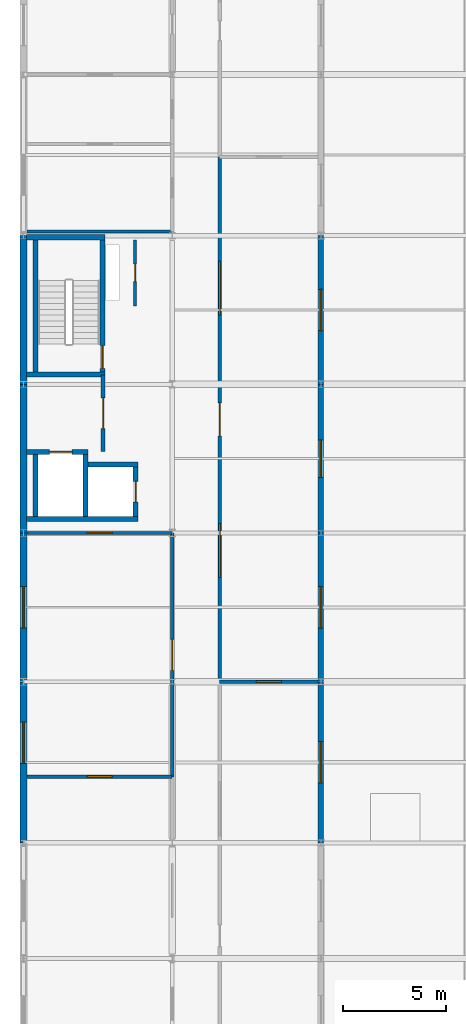
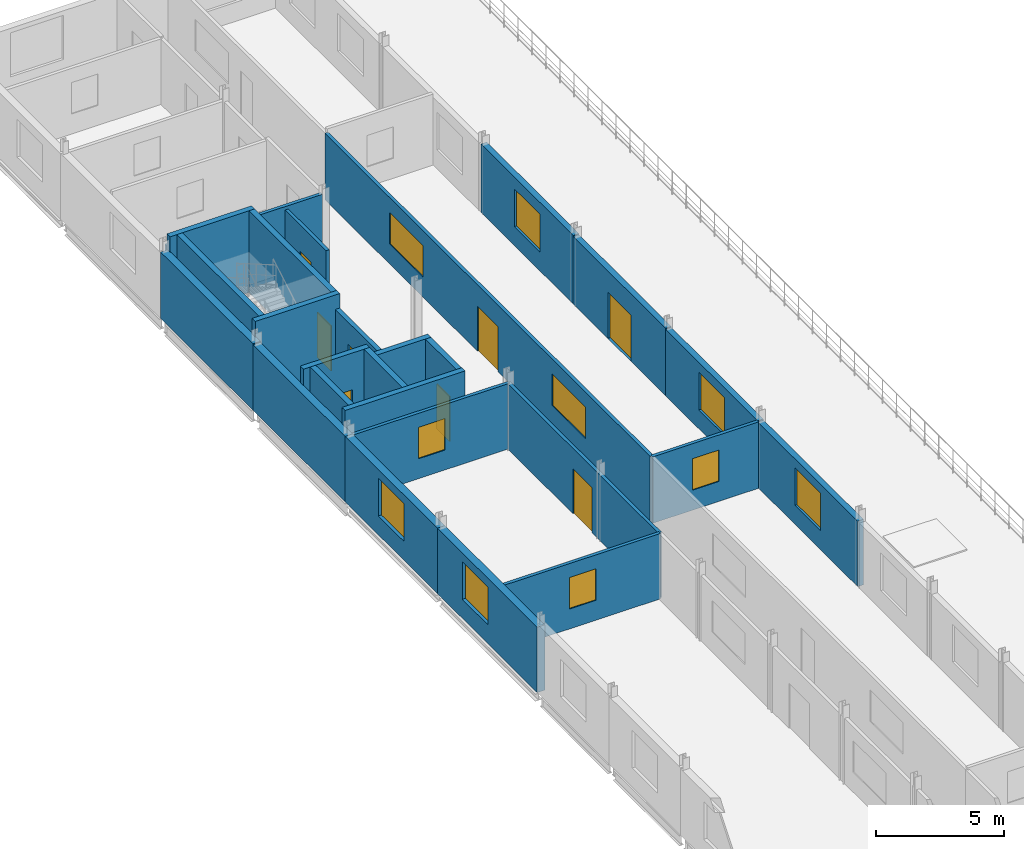
# One storey, part 9 of 14: 26 walls, 10 windows, 8 doors, 18 openings.
"""IFC4 building model written with IfcOpenShell, lengths in metres."""

from ifc_helpers import new_model, si_unit, direction, frame, frame_2d, origin, place, context, subcontext, project, spatial, rectangle, extrude, material, layer, layer_set, type_object, element, fill, save


model = new_model("IFC4")

# Units and contexts
model_context = context("Model", 3, precision=1e-05, world=origin(), true_north=direction((0.0, 1.0)))
body_context = subcontext(model_context, "Body", "Model", "MODEL_VIEW")
ifc_project = project(units=[si_unit("LENGTHUNIT", "METRE"), si_unit("AREAUNIT", "SQUARE_METRE"), si_unit("VOLUMEUNIT", "CUBIC_METRE"), si_unit("PLANEANGLEUNIT", "RADIAN"), si_unit("MASSUNIT", "GRAM", prefix="KILO")], contexts=[model_context])

# Site, building, storey
site_placement = place(None, origin())
site = spatial("IfcSite", under=ifc_project, at=site_placement, CompositionType="ELEMENT")
building_placement = place(site_placement, origin())
building = spatial("IfcBuilding", under=site, at=building_placement, Name="Vinh Khe Railworks Police Headquarters", CompositionType="ELEMENT")
storey_placement = place(building_placement, frame((0.0, 0.0, 32.699951171875)))
storey = spatial("IfcBuildingStorey", under=building, at=storey_placement, Name="L08", CompositionType="ELEMENT", Elevation=32.699951171875)

# Walls
ifc_material_1 = material(Name="Concrete C40/50 (B40)", Category="concrete")
ifc_layer_1 = layer(ifc_material_1, 0.25)
ifc_layer_set_1 = layer_set([ifc_layer_1], Name="Concrete C40/50 (B40)")
wall_type_1 = type_object("IfcWallType", Name="Core Shear Wall 250", PredefinedType="SHEAR", material=ifc_layer_set_1)
for number, where, z_axis, x_axis, name in (
    (1, (0.75, 81.47509765625, 0.0), (0.0, 0.0, 1.0), (1.0, 0.0, 0.0), "Core C2 STAIR-S Shear Wall (L08)"),
    (2, (0.75, 88.125, 0.0), (0.0, 0.0, 1.0), (1.0, 0.0, 0.0), "Core C2 STAIR-N Shear Wall (L08)"),
):
    element("IfcWall", number, at=place(storey_placement, frame(where, z_axis=z_axis, x_axis=x_axis)), inside=storey, type_object=wall_type_1, Name=name, PredefinedType="SHEAR", context=body_context, shape_type="SweptSolid", body=[
        extrude(rectangle(XDim=3.800048828125, YDim=0.25, at=frame_2d((1.89990234375, 0.0))), origin(), (0.0, 0.0, 1.0), 3.900146484375),
    ])
wall_1_placement = place(storey_placement, frame((1.175048828125, 81.60009765625, 0.0), z_axis=(0.0, 0.0, 1.0), x_axis=(0.0, 1.0, 0.0)))
element("IfcWall", 3, at=wall_1_placement, inside=storey, type_object=wall_type_1, Name="Core C2 STAIR-W Shear Wall (L08)", PredefinedType="SHEAR", context=body_context, shape_type="SweptSolid", body=[
    extrude(rectangle(XDim=6.39990234375, YDim=0.25, at=frame_2d((3.199951171875, 0.0))), origin(), (0.0, 0.0, 1.0), 3.900146484375),
])

# Wall, opening, door
wall_2_placement = place(storey_placement, frame((4.425048828125, 81.60009765625, 0.0), z_axis=(0.0, 0.0, 1.0), x_axis=(0.0, 1.0, 0.0)))
wall_2 = element("IfcWall", 4, at=wall_2_placement, inside=storey, type_object=wall_type_1, Name="Core C2 STAIR-E Shear Wall (L08)", PredefinedType="SHEAR", context=body_context, shape_type="SweptSolid", body=[
    extrude(rectangle(XDim=6.39990234375, YDim=0.25, at=frame_2d((3.199951171875, 0.0))), origin(), (0.0, 0.0, 1.0), 3.900146484375),
])
opening_1_placement = place(wall_2_placement, frame((0.169921875, 0.0, 0.0)))
opening_1 = element("IfcOpeningElement", 5, at=opening_1_placement, cuts=wall_2, Name="Opening FD-01", PredefinedType="OPENING", context=body_context, shape_type="SweptSolid", body=[
    extrude(rectangle(XDim=1.10009765625, YDim=2.14990234375, at=frame_2d((0.550048828125, 1.074951171875))), frame((0.0, 0.139892578125, 0.0), z_axis=(0.0, -1.0, 0.0), x_axis=(1.0, 0.0, 0.0)), (0.0, 0.0, 1.0), 0.27978515625),
])
ifc_material_2 = material(Name="Painted galvanised steel", Category="steel")
door_type_1 = type_object("IfcDoorType", Name="FD-1100x2150", OperationType="NOTDEFINED", PredefinedType="DOOR", material=ifc_material_2)
door_1_placement = place(opening_1_placement, frame((1.10009765625, 0.0, 0.0), z_axis=(0.0, 0.0, 1.0), x_axis=(-1.0, 0.0, 0.0)))
door_1 = element("IfcDoor", 6, at=door_1_placement, inside=storey, type_object=door_type_1, Name="Escape Stair ST-02 Fire Door L08", OperationType="SINGLE_SWING_LEFT", OverallHeight=2.14990234375, OverallWidth=1.10009765625, PredefinedType="DOOR", context=body_context, shape_type="SweptSolid", body=[
    extrude(rectangle(XDim=1.10009765625, YDim=2.14990234375, at=frame_2d((0.550048828125, 1.074951171875))), frame((0.0, 0.02490234375, 0.0), z_axis=(0.0, -1.0, 0.0), x_axis=(1.0, 0.0, 0.0)), (0.0, 0.0, 1.0), 0.050048828125),
])
fill(opening_1, door_1)

# Wall
wall_3_placement = place(storey_placement, frame((0.75, 74.47509765625, 0.0), z_axis=(0.0, 0.0, 1.0), x_axis=(1.0, 0.0, 0.0)))
element("IfcWall", 7, at=wall_3_placement, inside=storey, type_object=wall_type_1, Name="Core C2 FL-S Lift Shaft Wall (L08)", PredefinedType="SHEAR", context=body_context, shape_type="SweptSolid", body=[
    extrude(rectangle(XDim=5.39990234375, YDim=0.25, at=frame_2d((2.699951171875, 0.0))), origin(), (0.0, 0.0, 1.0), 3.900146484375),
])

# Wall, opening, door
wall_4_placement = place(storey_placement, frame((0.75, 77.72509765625, 0.0), z_axis=(0.0, 0.0, 1.0), x_axis=(1.0, 0.0, 0.0)))
wall_4 = element("IfcWall", 8, at=wall_4_placement, inside=storey, type_object=wall_type_1, Name="Core C2 FL-N Lift Shaft Wall (L08)", PredefinedType="SHEAR", context=body_context, shape_type="SweptSolid", body=[
    extrude(rectangle(XDim=2.97509765625, YDim=0.25, at=frame_2d((1.487548828125, 0.0))), origin(), (0.0, 0.0, 1.0), 3.900146484375),
])
opening_2_placement = place(wall_4_placement, frame((1.10009765625, 0.0, 0.0)))
opening_2 = element("IfcOpeningElement", 9, at=opening_2_placement, cuts=wall_4, Name="Opening LD-01", PredefinedType="OPENING", context=body_context, shape_type="SweptSolid", body=[
    extrude(rectangle(XDim=1.10009765625, YDim=2.14990234375, at=frame_2d((0.550048828125, 1.074951171875))), frame((0.0, 0.139892578125, 0.0), z_axis=(0.0, -1.0, 0.0), x_axis=(1.0, 0.0, 0.0)), (0.0, 0.0, 1.0), 0.27978515625),
])
door_type_2 = type_object("IfcDoorType", Name="LD-FF-1100", OperationType="SLIDING_TO_LEFT", PredefinedType="DOOR", material=ifc_material_2)
door_2_placement = place(opening_2_placement, origin())
door_2 = element("IfcDoor", 10, at=door_2_placement, inside=storey, type_object=door_type_2, Name="Firefighting Lift Landing Door FL-02 L08", OperationType="SLIDING_TO_LEFT", OverallHeight=2.14990234375, OverallWidth=1.10009765625, PredefinedType="DOOR", context=body_context, shape_type="SweptSolid", body=[
    extrude(rectangle(XDim=1.10009765625, YDim=2.14990234375, at=frame_2d((0.550048828125, 1.074951171875))), frame((0.0, 0.02490234375, 0.0), z_axis=(0.0, -1.0, 0.0), x_axis=(1.0, 0.0, 0.0)), (0.0, 0.0, 1.0), 0.050048828125),
])
fill(opening_2, door_2)

# Walls
wall_5_placement = place(storey_placement, frame((3.72509765625, 77.125, 0.0), z_axis=(0.0, 0.0, 1.0), x_axis=(1.0, 0.0, 0.0)))
element("IfcWall", 11, at=wall_5_placement, inside=storey, type_object=wall_type_1, Name="Core C2 PL-N Lift Shaft Wall (L08)", PredefinedType="SHEAR", context=body_context, shape_type="SweptSolid", body=[
    extrude(rectangle(XDim=2.4248046875, YDim=0.25, at=frame_2d((1.21240234375, 0.0))), origin(), (0.0, 0.0, 1.0), 3.900146484375),
])
for number, where, z_axis, x_axis, name in (
    (12, (1.175048828125, 74.60009765625, 0.0), (0.0, 0.0, 1.0), (0.0, 1.0, 0.0), "Core C2 FL-W Lift Shaft Wall (L08)"),
    (13, (3.60009765625, 74.60009765625, 0.0), (0.0, 0.0, 1.0), (0.0, 1.0, 0.0), "Core C2 LIFT-DIV Lift Shaft Wall (L08)"),
):
    element("IfcWall", number, at=place(storey_placement, frame(where, z_axis=z_axis, x_axis=x_axis)), inside=storey, type_object=wall_type_1, Name=name, PredefinedType="SHEAR", context=body_context, shape_type="SweptSolid", body=[
        extrude(rectangle(XDim=3.0, YDim=0.25, at=frame_2d((1.5, 0.0))), origin(), (0.0, 0.0, 1.0), 3.900146484375),
    ])

# Wall, opening, door
wall_6_placement = place(storey_placement, frame((6.02490234375, 74.60009765625, 0.0), z_axis=(0.0, 0.0, 1.0), x_axis=(0.0, 1.0, 0.0)))
wall_6 = element("IfcWall", 14, at=wall_6_placement, inside=storey, type_object=wall_type_1, Name="Core C2 PL-E Lift Shaft Wall (L08)", PredefinedType="SHEAR", context=body_context, shape_type="SweptSolid", body=[
    extrude(rectangle(XDim=2.39990234375, YDim=0.25, at=frame_2d((1.199951171875, 0.0))), origin(), (0.0, 0.0, 1.0), 3.900146484375),
])
opening_3_placement = place(wall_6_placement, frame((0.699951171875, 0.0, 0.0)))
opening_3 = element("IfcOpeningElement", 15, at=opening_3_placement, cuts=wall_6, Name="Opening LD-02", PredefinedType="OPENING", context=body_context, shape_type="SweptSolid", body=[
    extrude(rectangle(XDim=1.0, YDim=2.14990234375, at=frame_2d((0.5, 1.074951171875))), frame((0.0, 0.139892578125, 0.0), z_axis=(0.0, -1.0, 0.0), x_axis=(1.0, 0.0, 0.0)), (0.0, 0.0, 1.0), 0.27978515625),
])
door_type_3 = type_object("IfcDoorType", Name="LD-PAX-1000", OperationType="SLIDING_TO_RIGHT", PredefinedType="DOOR", material=ifc_material_2)
door_3_placement = place(opening_3_placement, frame((1.0, 0.0, 0.0), z_axis=(0.0, 0.0, 1.0), x_axis=(-1.0, 0.0, 0.0)))
door_3 = element("IfcDoor", 16, at=door_3_placement, inside=storey, type_object=door_type_3, Name="Passenger Lift Landing Door PL-02 L08", OperationType="SLIDING_TO_RIGHT", OverallHeight=2.14990234375, OverallWidth=1.0, PredefinedType="DOOR", context=body_context, shape_type="SweptSolid", body=[
    extrude(rectangle(XDim=1.0, YDim=2.14990234375, at=frame_2d((0.5, 1.074951171875))), frame((0.0, 0.02490234375, 0.0), z_axis=(0.0, -1.0, 0.0), x_axis=(1.0, 0.0, 0.0)), (0.0, 0.0, 1.0), 0.050048828125),
])
fill(opening_3, door_3)

# Wall, opening, window
ifc_material_3 = material(Name="Clay brickwork", Category="masonry")
ifc_layer_2 = layer(ifc_material_3, 0.260009765625)
ifc_layer_set_2 = layer_set([ifc_layer_2], Name="Clay brickwork")
wall_type_2 = type_object("IfcWallType", Name="EW-BRK-260", PredefinedType="SOLIDWALL", material=ifc_layer_set_2)
wall_7_placement = place(storey_placement, frame((15.0, 58.800048828125, 0.0), z_axis=(0.0, 0.0, 1.0), x_axis=(0.0, 1.0, 0.0)))
wall_7 = element("IfcWall", 17, at=wall_7_placement, inside=storey, type_object=wall_type_2, Name="Exterior Brick Wall EW-L08-V5E-08", PredefinedType="SOLIDWALL", context=body_context, shape_type="SweptSolid", body=[
    extrude(rectangle(XDim=7.800048828125, YDim=0.260009765625, at=frame_2d((3.89990234375, 0.0))), origin(), (0.0, 0.0, 1.0), 3.114990234375),
])
opening_4_placement = place(wall_7_placement, frame((2.89990234375, 0.0, 0.89990234375)))
opening_4 = element("IfcOpeningElement", 18, at=opening_4_placement, cuts=wall_7, Name="Opening WN-04", PredefinedType="OPENING", context=body_context, shape_type="SweptSolid", body=[
    extrude(rectangle(XDim=2.0, YDim=1.800048828125, at=frame_2d((1.0, 0.89990234375))), frame((0.0, 0.14501953125, 0.0), z_axis=(0.0, -1.0, 0.0), x_axis=(1.0, 0.0, 0.0)), (0.0, 0.0, 1.0), 0.289794921875),
])
ifc_material_4 = material(Name="Double-glazed solar-control glass in dark steel frame", Category="steel")
window_type_1 = type_object("IfcWindowType", Name="WIN-WN-04", PartitioningType="DOUBLE_PANEL_VERTICAL", PredefinedType="WINDOW", material=ifc_material_4)
window_1_placement = place(opening_4_placement, origin())
window_1 = element("IfcWindow", 19, at=window_1_placement, inside=storey, type_object=window_type_1, Name="Casement Window WN-04", OverallHeight=1.800048828125, OverallWidth=2.0, PartitioningType="SINGLE_PANEL", PredefinedType="WINDOW", context=body_context, shape_type="SweptSolid", body=[
    extrude(rectangle(XDim=2.0, YDim=1.800048828125, at=frame_2d((1.0, 0.89990234375))), frame((0.0, 0.030029296875, 0.0), z_axis=(0.0, -1.0, 0.0), x_axis=(1.0, 0.0, 0.0)), (0.0, 0.0, 1.0), 0.06005859375),
])
fill(opening_4, window_1)

wall_8_placement = place(storey_placement, frame((15.0, 66.60009765625, 0.0), z_axis=(0.0, 0.0, 1.0), x_axis=(0.0, 1.0, 0.0)))
wall_8 = element("IfcWall", 20, at=wall_8_placement, inside=storey, type_object=wall_type_2, Name="Exterior Brick Wall EW-L08-V5E-09", PredefinedType="SOLIDWALL", context=body_context, shape_type="SweptSolid", body=[
    extrude(rectangle(XDim=7.199951171875, YDim=0.260009765625, at=frame_2d((3.60009765625, 0.0))), origin(), (0.0, 0.0, 1.0), 3.1650390625),
])
opening_5_placement = place(wall_8_placement, frame((2.60009765625, 0.0, 0.89990234375)))
opening_5 = element("IfcOpeningElement", 21, at=opening_5_placement, cuts=wall_8, Name="Opening WN-04", PredefinedType="OPENING", context=body_context, shape_type="SweptSolid", body=[
    extrude(rectangle(XDim=2.0, YDim=1.800048828125, at=frame_2d((1.0, 0.89990234375))), frame((0.0, 0.14501953125, 0.0), z_axis=(0.0, -1.0, 0.0), x_axis=(1.0, 0.0, 0.0)), (0.0, 0.0, 1.0), 0.289794921875),
])
window_2_placement = place(opening_5_placement, origin())
window_2 = element("IfcWindow", 22, at=window_2_placement, inside=storey, type_object=window_type_1, Name="Casement Window WN-04", OverallHeight=1.800048828125, OverallWidth=2.0, PartitioningType="SINGLE_PANEL", PredefinedType="WINDOW", context=body_context, shape_type="SweptSolid", body=[
    extrude(rectangle(XDim=2.0, YDim=1.800048828125, at=frame_2d((1.0, 0.89990234375))), frame((0.0, 0.030029296875, 0.0), z_axis=(0.0, -1.0, 0.0), x_axis=(1.0, 0.0, 0.0)), (0.0, 0.0, 1.0), 0.06005859375),
])
fill(opening_5, window_2)

# Wall, opening, door
wall_9_placement = place(storey_placement, frame((15.0, 73.800048828125, 0.0), z_axis=(0.0, 0.0, 1.0), x_axis=(0.0, 1.0, 0.0)))
wall_9 = element("IfcWall", 23, at=wall_9_placement, inside=storey, type_object=wall_type_2, Name="Exterior Brick Wall EW-L08-V5E-10", PredefinedType="SOLIDWALL", context=body_context, shape_type="SweptSolid", body=[
    extrude(rectangle(XDim=7.199951171875, YDim=0.260009765625, at=frame_2d((3.60009765625, 0.0))), origin(), (0.0, 0.0, 1.0), 3.215087890625),
])
opening_6_placement = place(wall_9_placement, frame((2.699951171875, 0.0, 0.0)))
opening_6 = element("IfcOpeningElement", 24, at=opening_6_placement, cuts=wall_9, Name="Opening ED-03", PredefinedType="OPENING", context=body_context, shape_type="SweptSolid", body=[
    extrude(rectangle(XDim=1.800048828125, YDim=2.199951171875, at=frame_2d((0.89990234375, 1.10009765625))), frame((0.0, 0.14501953125, 0.0), z_axis=(0.0, -1.0, 0.0), x_axis=(1.0, 0.0, 0.0)), (0.0, 0.0, 1.0), 0.289794921875),
])
ifc_material_5 = material(Name="Dark anodised aluminium and solar-control glass", Category="aluminium")
door_type_4 = type_object("IfcDoorType", Name="ED-TER-1800", OperationType="DOUBLE_DOOR_SINGLE_SWING", PredefinedType="DOOR", material=ifc_material_5)
door_4_placement = place(opening_6_placement, frame((1.800048828125, 0.0, 0.0), z_axis=(0.0, 0.0, 1.0), x_axis=(-1.0, 0.0, 0.0)))
door_4 = element("IfcDoor", 25, at=door_4_placement, inside=storey, type_object=door_type_4, Name="Upper East Roof Terrace Access Door", OperationType="DOUBLE_DOOR_SINGLE_SWING", OverallHeight=2.199951171875, OverallWidth=1.800048828125, PredefinedType="DOOR", context=body_context, shape_type="SweptSolid", body=[
    extrude(rectangle(XDim=1.800048828125, YDim=2.199951171875, at=frame_2d((0.89990234375, 1.10009765625))), frame((0.0, 0.02490234375, 0.0), z_axis=(0.0, -1.0, 0.0), x_axis=(1.0, 0.0, 0.0)), (0.0, 0.0, 1.0), 0.050048828125),
])
fill(opening_6, door_4)

# Wall, opening, window
wall_10_placement = place(storey_placement, frame((15.0, 81.0, 0.0), z_axis=(0.0, 0.0, 1.0), x_axis=(0.0, 1.0, 0.0)))
wall_10 = element("IfcWall", 26, at=wall_10_placement, inside=storey, type_object=wall_type_2, Name="Exterior Brick Wall EW-L08-V5E-11", PredefinedType="SOLIDWALL", context=body_context, shape_type="SweptSolid", body=[
    extrude(rectangle(XDim=7.199951171875, YDim=0.260009765625, at=frame_2d((3.60009765625, 0.0))), origin(), (0.0, 0.0, 1.0), 3.26513671875),
])
opening_7_placement = place(wall_10_placement, frame((2.60009765625, 0.0, 0.89990234375)))
opening_7 = element("IfcOpeningElement", 27, at=opening_7_placement, cuts=wall_10, Name="Opening WN-04", PredefinedType="OPENING", context=body_context, shape_type="SweptSolid", body=[
    extrude(rectangle(XDim=2.0, YDim=1.800048828125, at=frame_2d((1.0, 0.89990234375))), frame((0.0, 0.14501953125, 0.0), z_axis=(0.0, -1.0, 0.0), x_axis=(1.0, 0.0, 0.0)), (0.0, 0.0, 1.0), 0.289794921875),
])
window_3_placement = place(opening_7_placement, origin())
window_3 = element("IfcWindow", 28, at=window_3_placement, inside=storey, type_object=window_type_1, Name="Casement Window WN-04", OverallHeight=1.800048828125, OverallWidth=2.0, PartitioningType="SINGLE_PANEL", PredefinedType="WINDOW", context=body_context, shape_type="SweptSolid", body=[
    extrude(rectangle(XDim=2.0, YDim=1.800048828125, at=frame_2d((1.0, 0.89990234375))), frame((0.0, 0.030029296875, 0.0), z_axis=(0.0, -1.0, 0.0), x_axis=(1.0, 0.0, 0.0)), (0.0, 0.0, 1.0), 0.06005859375),
])
fill(opening_7, window_3)

ifc_layer_3 = layer(ifc_material_3, 0.340087890625)
ifc_layer_set_3 = layer_set([ifc_layer_3], Name="Clay brickwork")
wall_type_3 = type_object("IfcWallType", Name="EW-BRK-340", PredefinedType="SOLIDWALL", material=ifc_layer_set_3)
wall_11_placement = place(storey_placement, frame((0.60009765625, 58.800048828125, 0.0), z_axis=(0.0, 0.0, 1.0), x_axis=(0.0, 1.0, 0.0)))
wall_11 = element("IfcWall", 29, at=wall_11_placement, inside=storey, type_object=wall_type_3, Name="Exterior Brick Wall EW-L08-V5W-08", PredefinedType="SOLIDWALL", context=body_context, shape_type="SweptSolid", body=[
    extrude(rectangle(XDim=7.800048828125, YDim=0.340087890625, at=frame_2d((3.89990234375, 0.0))), origin(), (0.0, 0.0, 1.0), 3.114990234375),
])
opening_8_placement = place(wall_11_placement, frame((3.85009765625, 0.0, 0.89990234375)))
opening_8 = element("IfcOpeningElement", 30, at=opening_8_placement, cuts=wall_11, Name="Opening WN-04", PredefinedType="OPENING", context=body_context, shape_type="SweptSolid", body=[
    extrude(rectangle(XDim=2.0, YDim=1.800048828125, at=frame_2d((1.0, 0.89990234375))), frame((0.0, 0.18505859375, 0.0), z_axis=(0.0, -1.0, 0.0), x_axis=(1.0, 0.0, 0.0)), (0.0, 0.0, 1.0), 0.369873046875),
])
window_4_placement = place(opening_8_placement, origin())
window_4 = element("IfcWindow", 31, at=window_4_placement, inside=storey, type_object=window_type_1, Name="Casement Window WN-04", OverallHeight=1.800048828125, OverallWidth=2.0, PartitioningType="SINGLE_PANEL", PredefinedType="WINDOW", context=body_context, shape_type="SweptSolid", body=[
    extrude(rectangle(XDim=2.0, YDim=1.800048828125, at=frame_2d((1.0, 0.89990234375))), frame((0.0, 0.030029296875, 0.0), z_axis=(0.0, -1.0, 0.0), x_axis=(1.0, 0.0, 0.0)), (0.0, 0.0, 1.0), 0.06005859375),
])
fill(opening_8, window_4)

wall_12_placement = place(storey_placement, frame((0.60009765625, 66.60009765625, 0.0), z_axis=(0.0, 0.0, 1.0), x_axis=(0.0, 1.0, 0.0)))
wall_12 = element("IfcWall", 32, at=wall_12_placement, inside=storey, type_object=wall_type_3, Name="Exterior Brick Wall EW-L08-V5W-09", PredefinedType="SOLIDWALL", context=body_context, shape_type="SweptSolid", body=[
    extrude(rectangle(XDim=7.199951171875, YDim=0.340087890625, at=frame_2d((3.60009765625, 0.0))), origin(), (0.0, 0.0, 1.0), 3.114990234375),
])
opening_9_placement = place(wall_12_placement, frame((2.60009765625, 0.0, 0.89990234375)))
opening_9 = element("IfcOpeningElement", 33, at=opening_9_placement, cuts=wall_12, Name="Opening WN-04", PredefinedType="OPENING", context=body_context, shape_type="SweptSolid", body=[
    extrude(rectangle(XDim=2.0, YDim=1.800048828125, at=frame_2d((1.0, 0.89990234375))), frame((0.0, 0.18505859375, 0.0), z_axis=(0.0, -1.0, 0.0), x_axis=(1.0, 0.0, 0.0)), (0.0, 0.0, 1.0), 0.369873046875),
])
window_5_placement = place(opening_9_placement, origin())
window_5 = element("IfcWindow", 34, at=window_5_placement, inside=storey, type_object=window_type_1, Name="Casement Window WN-04", OverallHeight=1.800048828125, OverallWidth=2.0, PartitioningType="SINGLE_PANEL", PredefinedType="WINDOW", context=body_context, shape_type="SweptSolid", body=[
    extrude(rectangle(XDim=2.0, YDim=1.800048828125, at=frame_2d((1.0, 0.89990234375))), frame((0.0, 0.030029296875, 0.0), z_axis=(0.0, -1.0, 0.0), x_axis=(1.0, 0.0, 0.0)), (0.0, 0.0, 1.0), 0.06005859375),
])
fill(opening_9, window_5)

# Walls
wall_13_placement = place(storey_placement, frame((0.60009765625, 73.800048828125, 0.0), z_axis=(0.0, 0.0, 1.0), x_axis=(0.0, 1.0, 0.0)))
element("IfcWall", 35, at=wall_13_placement, inside=storey, type_object=wall_type_3, Name="Exterior Brick Wall EW-L08-V5W-10", PredefinedType="SOLIDWALL", context=body_context, shape_type="SweptSolid", body=[
    extrude(rectangle(XDim=7.199951171875, YDim=0.340087890625, at=frame_2d((3.60009765625, 0.0))), origin(), (0.0, 0.0, 1.0), 3.114990234375),
])
wall_14_placement = place(storey_placement, frame((0.60009765625, 81.0, 0.0), z_axis=(0.0, 0.0, 1.0), x_axis=(0.0, 1.0, 0.0)))
element("IfcWall", 36, at=wall_14_placement, inside=storey, type_object=wall_type_3, Name="Exterior Brick Wall EW-L08-V5W-11", PredefinedType="SOLIDWALL", context=body_context, shape_type="SweptSolid", body=[
    extrude(rectangle(XDim=7.199951171875, YDim=0.340087890625, at=frame_2d((3.60009765625, 0.0))), origin(), (0.0, 0.0, 1.0), 3.1650390625),
])

# Wall, opening, door
ifc_material_6 = material(Name="Autoclaved aerated concrete blockwork", Category="masonry")
ifc_layer_4 = layer(ifc_material_6, 0.199951171875)
ifc_layer_set_4 = layer_set([ifc_layer_4], Name="Autoclaved aerated concrete blockwork")
wall_type_4 = type_object("IfcWallType", Name="IW-BLK-200", PredefinedType="PARTITIONING", material=ifc_layer_set_4)
wall_15_placement = place(storey_placement, frame((4.449951171875, 77.75, 0.0), z_axis=(0.0, 0.0, 1.0), x_axis=(0.0, 1.0, 0.0)))
wall_15 = element("IfcWall", 37, at=wall_15_placement, inside=storey, type_object=wall_type_4, Name="Interior Partition W-FFL-C2-E-L08", PredefinedType="PARTITIONING", context=body_context, shape_type="SweptSolid", body=[
    extrude(rectangle(XDim=3.699951171875, YDim=0.199951171875, at=frame_2d((1.85009765625, 0.0))), origin(), (0.0, 0.0, 1.0), 3.215087890625),
])
opening_10_placement = place(wall_15_placement, frame((1.10009765625, 0.0, 0.0)))
opening_10 = element("IfcOpeningElement", 38, at=opening_10_placement, cuts=wall_15, Name="Opening FD-02", PredefinedType="OPENING", context=body_context, shape_type="SweptSolid", body=[
    extrude(rectangle(XDim=1.5, YDim=2.14990234375, at=frame_2d((0.75, 1.074951171875))), frame((0.0, 0.11474609375, 0.0), z_axis=(0.0, -1.0, 0.0), x_axis=(1.0, 0.0, 0.0)), (0.0, 0.0, 1.0), 0.229736328125),
])
door_type_5 = type_object("IfcDoorType", Name="FD-1500x2150", OperationType="DOUBLE_DOOR_SINGLE_SWING", PredefinedType="DOOR", material=ifc_material_2)
door_5_placement = place(opening_10_placement, origin())
door_5 = element("IfcDoor", 39, at=door_5_placement, inside=storey, type_object=door_type_5, Name="Firefighting Lobby Fire Door", OperationType="DOUBLE_DOOR_SINGLE_SWING", OverallHeight=2.14990234375, OverallWidth=1.5, PredefinedType="DOOR", context=body_context, shape_type="SweptSolid", body=[
    extrude(rectangle(XDim=1.5, YDim=2.14990234375, at=frame_2d((0.75, 1.074951171875))), frame((0.0, 0.02490234375, 0.0), z_axis=(0.0, -1.0, 0.0), x_axis=(1.0, 0.0, 0.0)), (0.0, 0.0, 1.0), 0.050048828125),
])
fill(opening_10, door_5)

# Wall, opening, window
ifc_material_7 = material(Name="Gypsum plasterboard on steel stud", Category="steel")
ifc_layer_5 = layer(ifc_material_7, 0.1201171875)
ifc_layer_set_5 = layer_set([ifc_layer_5], Name="Gypsum plasterboard on steel stud")
wall_type_5 = type_object("IfcWallType", Name="IW-PART-120", PredefinedType="PARTITIONING", material=ifc_layer_set_5)
wall_16_placement = place(storey_placement, frame((0.780029296875, 62.0, 0.0), z_axis=(0.0, 0.0, 1.0), x_axis=(1.0, 0.0, 0.0)))
wall_16 = element("IfcWall", 40, at=wall_16_placement, inside=storey, type_object=wall_type_5, Name="Interior Partition W-L08-V5-RAD8-DIV", PredefinedType="PARTITIONING", context=body_context, shape_type="SweptSolid", body=[
    extrude(rectangle(XDim=7.02001953125, YDim=0.14990234375, at=frame_2d((3.510009765625, 0.0))), origin(), (0.0, 0.0, 1.0), 3.114990234375),
])
opening_11_placement = place(wall_16_placement, frame((2.909912109375, 0.0, 0.949951171875)))
opening_11 = element("IfcOpeningElement", 41, at=opening_11_placement, cuts=wall_16, Name="Opening WN-10", PredefinedType="OPENING", context=body_context, shape_type="SweptSolid", body=[
    extrude(rectangle(XDim=1.199951171875, YDim=1.5, at=frame_2d((0.60009765625, 0.75))), frame((0.0, 0.08984375, 0.0), z_axis=(0.0, -1.0, 0.0), x_axis=(1.0, 0.0, 0.0)), (0.0, 0.0, 1.0), 0.1796875),
])
window_type_2 = type_object("IfcWindowType", Name="WIN-WN-10", PartitioningType="SINGLE_PANEL", PredefinedType="WINDOW", material=ifc_material_4)
window_6_placement = place(opening_11_placement, origin())
window_6 = element("IfcWindow", 42, at=window_6_placement, inside=storey, type_object=window_type_2, Name="Interior Acoustic Vision Window WN-10", OverallHeight=1.5, OverallWidth=1.199951171875, PartitioningType="SINGLE_PANEL", PredefinedType="WINDOW", context=body_context, shape_type="SweptSolid", body=[
    extrude(rectangle(XDim=1.199951171875, YDim=1.5, at=frame_2d((0.60009765625, 0.75))), frame((0.0, 0.030029296875, 0.0), z_axis=(0.0, -1.0, 0.0), x_axis=(1.0, 0.0, 0.0)), (0.0, 0.0, 1.0), 0.06005859375),
])
fill(opening_11, window_6)

wall_17_placement = place(storey_placement, frame((0.780029296875, 73.800048828125, 0.0), z_axis=(0.0, 0.0, 1.0), x_axis=(1.0, 0.0, 0.0)))
wall_17 = element("IfcWall", 43, at=wall_17_placement, inside=storey, type_object=wall_type_5, Name="Interior Partition W-L08-V5-RAD8-ENDN", PredefinedType="PARTITIONING", context=body_context, shape_type="SweptSolid", body=[
    extrude(rectangle(XDim=7.02001953125, YDim=0.14990234375, at=frame_2d((3.510009765625, 0.0))), origin(), (0.0, 0.0, 1.0), 3.114990234375),
])
opening_12_placement = place(wall_17_placement, frame((2.909912109375, 0.0, 0.949951171875)))
opening_12 = element("IfcOpeningElement", 44, at=opening_12_placement, cuts=wall_17, Name="Opening WN-10", PredefinedType="OPENING", context=body_context, shape_type="SweptSolid", body=[
    extrude(rectangle(XDim=1.199951171875, YDim=1.5, at=frame_2d((0.60009765625, 0.75))), frame((0.0, 0.08984375, 0.0), z_axis=(0.0, -1.0, 0.0), x_axis=(1.0, 0.0, 0.0)), (0.0, 0.0, 1.0), 0.1796875),
])
window_7_placement = place(opening_12_placement, origin())
window_7 = element("IfcWindow", 45, at=window_7_placement, inside=storey, type_object=window_type_2, Name="Interior Acoustic Vision Window WN-10", OverallHeight=1.5, OverallWidth=1.199951171875, PartitioningType="SINGLE_PANEL", PredefinedType="WINDOW", context=body_context, shape_type="SweptSolid", body=[
    extrude(rectangle(XDim=1.199951171875, YDim=1.5, at=frame_2d((0.60009765625, 0.75))), frame((0.0, 0.030029296875, 0.0), z_axis=(0.0, -1.0, 0.0), x_axis=(1.0, 0.0, 0.0)), (0.0, 0.0, 1.0), 0.06005859375),
])
fill(opening_12, window_7)

# Wall
wall_18_placement = place(storey_placement, frame((0.780029296875, 88.39990234375, 0.0), z_axis=(0.0, 0.0, 1.0), x_axis=(1.0, 0.0, 0.0)))
element("IfcWall", 46, at=wall_18_placement, inside=storey, type_object=wall_type_5, Name="Interior Partition W-L08-V5-WCL8-DIV", PredefinedType="PARTITIONING", context=body_context, shape_type="SweptSolid", body=[
    extrude(rectangle(XDim=7.02001953125, YDim=0.14990234375, at=frame_2d((3.510009765625, 0.0))), origin(), (0.0, 0.0, 1.0), 3.26513671875),
])

# Wall, opening, window
wall_19_placement = place(storey_placement, frame((10.10009765625, 66.60009765625, 0.0), z_axis=(0.0, 0.0, 1.0), x_axis=(1.0, 0.0, 0.0)))
wall_19 = element("IfcWall", 47, at=wall_19_placement, inside=storey, type_object=wall_type_5, Name="Interior Partition W-L08-V5-PROT8-DIV", PredefinedType="PARTITIONING", context=body_context, shape_type="SweptSolid", body=[
    extrude(rectangle(XDim=4.760009765625, YDim=0.14990234375, at=frame_2d((2.3798828125, 0.0))), origin(), (0.0, 0.0, 1.0), 3.1650390625),
])
opening_13_placement = place(wall_19_placement, frame((1.780029296875, 0.0, 0.949951171875)))
opening_13 = element("IfcOpeningElement", 48, at=opening_13_placement, cuts=wall_19, Name="Opening WN-10", PredefinedType="OPENING", context=body_context, shape_type="SweptSolid", body=[
    extrude(rectangle(XDim=1.199951171875, YDim=1.5, at=frame_2d((0.60009765625, 0.75))), frame((0.0, 0.08984375, 0.0), z_axis=(0.0, -1.0, 0.0), x_axis=(1.0, 0.0, 0.0)), (0.0, 0.0, 1.0), 0.1796875),
])
window_8_placement = place(opening_13_placement, origin())
window_8 = element("IfcWindow", 49, at=window_8_placement, inside=storey, type_object=window_type_2, Name="Interior Acoustic Vision Window WN-10", OverallHeight=1.5, OverallWidth=1.199951171875, PartitioningType="SINGLE_PANEL", PredefinedType="WINDOW", context=body_context, shape_type="SweptSolid", body=[
    extrude(rectangle(XDim=1.199951171875, YDim=1.5, at=frame_2d((0.60009765625, 0.75))), frame((0.0, 0.030029296875, 0.0), z_axis=(0.0, -1.0, 0.0), x_axis=(1.0, 0.0, 0.0)), (0.0, 0.0, 1.0), 0.06005859375),
])
fill(opening_13, window_8)

# Wall, opening, door
ifc_material_8 = material(Name="Gypsum plasterboard on acoustic steel stud", Category="steel")
ifc_layer_6 = layer(ifc_material_8, 0.14990234375)
ifc_layer_set_6 = layer_set([ifc_layer_6], Name="Gypsum plasterboard on acoustic steel stud")
wall_type_6 = type_object("IfcWallType", Name="IW-PART-150", PredefinedType="PARTITIONING", material=ifc_layer_set_6)
wall_20_placement = place(storey_placement, frame((6.0, 84.800048828125, 0.0), z_axis=(0.0, 0.0, 1.0), x_axis=(0.0, 1.0, 0.0)))
wall_20 = element("IfcWall", 50, at=wall_20_placement, inside=storey, type_object=wall_type_6, Name="Interior Partition W-RSR-C2-E-L08", PredefinedType="PARTITIONING", context=body_context, shape_type="SweptSolid", body=[
    extrude(rectangle(XDim=3.199951171875, YDim=0.14990234375, at=frame_2d((1.60009765625, 0.0))), origin(), (0.0, 0.0, 1.0), 3.364990234375),
])
opening_14_placement = place(wall_20_placement, frame((1.175048828125, 0.0, 0.0)))
opening_14 = element("IfcOpeningElement", 51, at=opening_14_placement, cuts=wall_20, Name="Opening FD-04", PredefinedType="OPENING", context=body_context, shape_type="SweptSolid", body=[
    extrude(rectangle(XDim=0.85009765625, YDim=2.10009765625, at=frame_2d((0.425048828125, 1.050048828125))), frame((0.0, 0.08984375, 0.0), z_axis=(0.0, -1.0, 0.0), x_axis=(1.0, 0.0, 0.0)), (0.0, 0.0, 1.0), 0.1796875),
])
door_type_6 = type_object("IfcDoorType", Name="FD-850x2100", OperationType="NOTDEFINED", PredefinedType="DOOR", material=ifc_material_2)
door_6_placement = place(opening_14_placement, origin())
door_6 = element("IfcDoor", 52, at=door_6_placement, inside=storey, type_object=door_type_6, Name="Wet Riser Access Door", OperationType="SINGLE_SWING_RIGHT", OverallHeight=2.10009765625, OverallWidth=0.85009765625, PredefinedType="DOOR", context=body_context, shape_type="SweptSolid", body=[
    extrude(rectangle(XDim=0.85009765625, YDim=2.10009765625, at=frame_2d((0.425048828125, 1.050048828125))), frame((0.0, 0.02490234375, 0.0), z_axis=(0.0, -1.0, 0.0), x_axis=(1.0, 0.0, 0.0)), (0.0, 0.0, 1.0), 0.050048828125),
])
fill(opening_14, door_6)

wall_21_placement = place(storey_placement, frame((7.800048828125, 62.0, 0.0), z_axis=(0.0, 0.0, 1.0), x_axis=(0.0, 1.0, 0.0)))
wall_21 = element("IfcWall", 53, at=wall_21_placement, inside=storey, type_object=wall_type_6, Name="Interior Partition W-L08-V5-RAD8-CW", PredefinedType="PARTITIONING", context=body_context, shape_type="SweptSolid", body=[
    extrude(rectangle(XDim=11.800048828125, YDim=0.14990234375, at=frame_2d((5.89990234375, 0.0))), origin(), (0.0, 0.0, 1.0), 3.114990234375),
])
opening_15_placement = place(wall_21_placement, frame((5.14990234375, 0.0, 0.0)))
opening_15 = element("IfcOpeningElement", 54, at=opening_15_placement, cuts=wall_21, Name="Opening FD-02", PredefinedType="OPENING", context=body_context, shape_type="SweptSolid", body=[
    extrude(rectangle(XDim=1.5, YDim=2.14990234375, at=frame_2d((0.75, 1.074951171875))), frame((0.0, 0.08984375, 0.0), z_axis=(0.0, -1.0, 0.0), x_axis=(1.0, 0.0, 0.0)), (0.0, 0.0, 1.0), 0.1796875),
])
door_7_placement = place(opening_15_placement, origin())
door_7 = element("IfcDoor", 55, at=door_7_placement, inside=storey, type_object=door_type_5, Name="Radio and TETRA Telemetry Plant Room Door", OperationType="DOUBLE_DOOR_SINGLE_SWING", OverallHeight=2.14990234375, OverallWidth=1.5, PredefinedType="DOOR", context=body_context, shape_type="SweptSolid", body=[
    extrude(rectangle(XDim=1.5, YDim=2.14990234375, at=frame_2d((0.75, 1.074951171875))), frame((0.0, 0.02490234375, 0.0), z_axis=(0.0, -1.0, 0.0), x_axis=(1.0, 0.0, 0.0)), (0.0, 0.0, 1.0), 0.050048828125),
])
fill(opening_15, door_7)

# Wall, openings, door, windows
wall_22_placement = place(storey_placement, frame((10.10009765625, 66.60009765625, 0.0), z_axis=(0.0, 0.0, 1.0), x_axis=(0.0, 1.0, 0.0)))
wall_22 = element("IfcWall", 56, at=wall_22_placement, inside=storey, type_object=wall_type_6, Name="Interior Partition W-L08-V5-PROT8-CE", PredefinedType="PARTITIONING", context=body_context, shape_type="SweptSolid", body=[
    extrude(rectangle(XDim=25.39990234375, YDim=0.14990234375, at=frame_2d((12.699951171875, 0.0))), origin(), (0.0, 0.0, 1.0), 3.1650390625),
])
opening_16_placement = place(wall_22_placement, frame((11.89990234375, 0.0, 0.0)))
opening_16 = element("IfcOpeningElement", 57, at=opening_16_placement, cuts=wall_22, Name="Opening D-03", PredefinedType="OPENING", context=body_context, shape_type="SweptSolid", body=[
    extrude(rectangle(XDim=1.60009765625, YDim=2.14990234375, at=frame_2d((0.800048828125, 1.074951171875))), frame((0.0, 0.08984375, 0.0), z_axis=(0.0, -1.0, 0.0), x_axis=(1.0, 0.0, 0.0)), (0.0, 0.0, 1.0), 0.1796875),
])
opening_17_placement = place(wall_22_placement, frame((5.050048828125, 0.0, 0.949951171875)))
opening_17 = element("IfcOpeningElement", 58, at=opening_17_placement, cuts=wall_22, Name="Opening WN-07", PredefinedType="OPENING", context=body_context, shape_type="SweptSolid", body=[
    extrude(rectangle(XDim=2.60009765625, YDim=1.5, at=frame_2d((1.300048828125, 0.75))), frame((0.0, 0.08984375, 0.0), z_axis=(0.0, -1.0, 0.0), x_axis=(1.0, 0.0, 0.0)), (0.0, 0.0, 1.0), 0.1796875),
])
opening_18_placement = place(wall_22_placement, frame((17.75, 0.0, 0.949951171875)))
opening_18 = element("IfcOpeningElement", 59, at=opening_18_placement, cuts=wall_22, Name="Opening WN-07", PredefinedType="OPENING", context=body_context, shape_type="SweptSolid", body=[
    extrude(rectangle(XDim=2.60009765625, YDim=1.5, at=frame_2d((1.300048828125, 0.75))), frame((0.0, 0.08984375, 0.0), z_axis=(0.0, -1.0, 0.0), x_axis=(1.0, 0.0, 0.0)), (0.0, 0.0, 1.0), 0.1796875),
])
door_type_7 = type_object("IfcDoorType", Name="ID-1600x2150", OperationType="DOUBLE_DOOR_SINGLE_SWING", PredefinedType="DOOR", material=ifc_material_2)
door_8_placement = place(opening_16_placement, origin())
door_8 = element("IfcDoor", 60, at=door_8_placement, inside=storey, type_object=door_type_7, Name="Protocol Reception Hall Door", OperationType="DOUBLE_DOOR_SINGLE_SWING", OverallHeight=2.14990234375, OverallWidth=1.60009765625, PredefinedType="DOOR", context=body_context, shape_type="SweptSolid", body=[
    extrude(rectangle(XDim=1.60009765625, YDim=2.14990234375, at=frame_2d((0.800048828125, 1.074951171875))), frame((0.0, 0.02490234375, 0.0), z_axis=(0.0, -1.0, 0.0), x_axis=(1.0, 0.0, 0.0)), (0.0, 0.0, 1.0), 0.050048828125),
])
fill(opening_16, door_8)
window_type_3 = type_object("IfcWindowType", Name="WIN-WN-07", PartitioningType="DOUBLE_PANEL_HORIZONTAL", PredefinedType="WINDOW", material=ifc_material_4)
window_9_placement = place(opening_17_placement, origin())
window_9 = element("IfcWindow", 61, at=window_9_placement, inside=storey, type_object=window_type_3, Name="Interior Acoustic Vision Window WN-07", OverallHeight=1.5, OverallWidth=2.60009765625, PartitioningType="SINGLE_PANEL", PredefinedType="WINDOW", context=body_context, shape_type="SweptSolid", body=[
    extrude(rectangle(XDim=2.60009765625, YDim=1.5, at=frame_2d((1.300048828125, 0.75))), frame((0.0, 0.030029296875, 0.0), z_axis=(0.0, -1.0, 0.0), x_axis=(1.0, 0.0, 0.0)), (0.0, 0.0, 1.0), 0.06005859375),
])
fill(opening_17, window_9)
window_10_placement = place(opening_18_placement, origin())
window_10 = element("IfcWindow", 62, at=window_10_placement, inside=storey, type_object=window_type_3, Name="Interior Acoustic Vision Window WN-07", OverallHeight=1.5, OverallWidth=2.60009765625, PartitioningType="SINGLE_PANEL", PredefinedType="WINDOW", context=body_context, shape_type="SweptSolid", body=[
    extrude(rectangle(XDim=2.60009765625, YDim=1.5, at=frame_2d((1.300048828125, 0.75))), frame((0.0, 0.030029296875, 0.0), z_axis=(0.0, -1.0, 0.0), x_axis=(1.0, 0.0, 0.0)), (0.0, 0.0, 1.0), 0.06005859375),
])
fill(opening_18, window_10)

save(model, "model.ifc")
